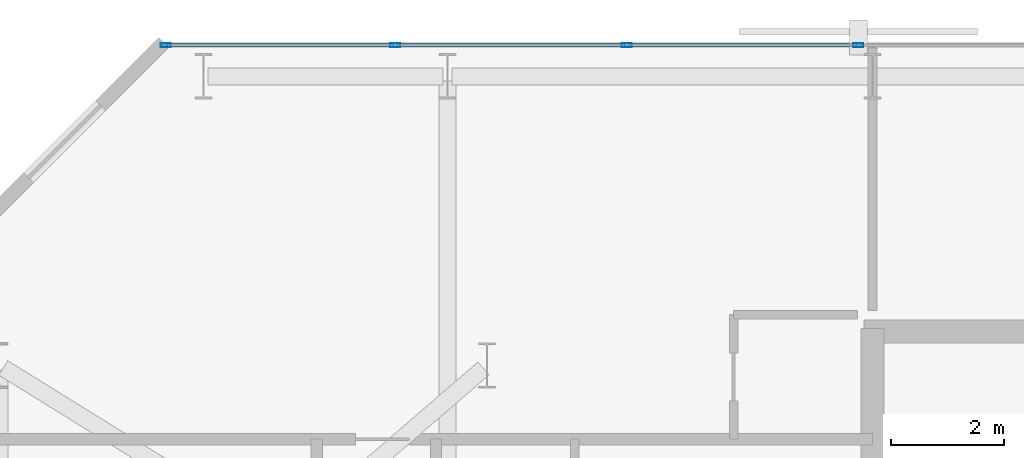
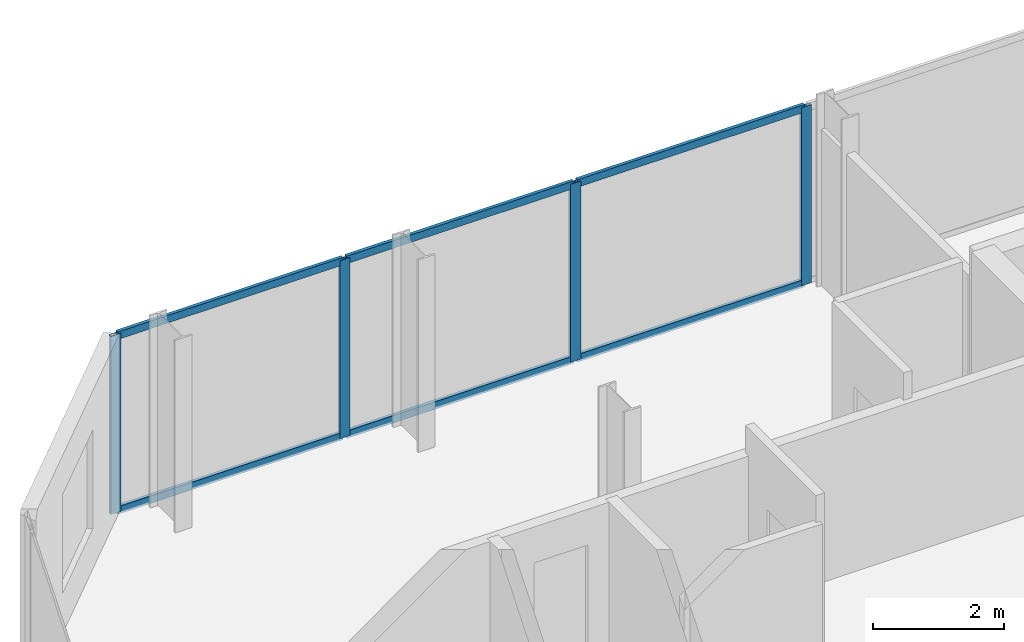
# One storey, part 22 of 33: 10 members, 1 element without a shape of its own.
"""IFC4 building model written with IfcOpenShell, lengths in metres."""

from ifc_helpers import new_model, si_unit, direction, frame, origin, origin_2d, place, context, subcontext, project, spatial, hollow_rectangle, extrude, material, layer, layer_set, material_profile, profile_set, type_object, element, aggregate, save


model = new_model("IFC4")

# Units and contexts
model_context = context("Model", 3, precision=1e-05, world=origin(), true_north=direction((0.0, 1.0)))
body_context = subcontext(model_context, "Body", "Model", "MODEL_VIEW")
ifc_project = project(units=[si_unit("LENGTHUNIT", "METRE"), si_unit("AREAUNIT", "SQUARE_METRE"), si_unit("VOLUMEUNIT", "CUBIC_METRE"), si_unit("PLANEANGLEUNIT", "RADIAN"), si_unit("MASSUNIT", "GRAM", prefix="KILO")], contexts=[model_context])

# Site, building, storey
site_placement = place(None, origin())
site = spatial("IfcSite", under=ifc_project, at=site_placement, CompositionType="ELEMENT")
building_placement = place(site_placement, origin())
building = spatial("IfcBuilding", under=site, at=building_placement, Name="Catumbela Crestline Tower", CompositionType="ELEMENT")
storey_placement = place(building_placement, frame((0.0, 0.0, 54.6)))
storey = spatial("IfcBuildingStorey", under=building, at=storey_placement, Name="L13", CompositionType="ELEMENT", Elevation=54.6)

# Curtain wall, members
ifc_material = material(Name="Aluminium alloy AW-6060-T66", Category="aluminium")
ifc_layer = layer(ifc_material, 0.18, Name="Aluminium alloy AW-6060-T66")
ifc_layer_set = layer_set([ifc_layer], Name="Aluminium alloy AW-6060-T66")
curtain_wall_type = type_object("IfcCurtainWallType", Name="CWU-Z1", PredefinedType="USERDEFINED", material=ifc_layer_set)
curtain_wall_placement = place(storey_placement, origin())
curtain_wall = element("IfcCurtainWall", 1, at=curtain_wall_placement, inside=storey, type_object=curtain_wall_type, Name="L13 Unitised Curtain Wall CW-L13-E7S1", ObjectType="UNITISED", PredefinedType="USERDEFINED")
ifc_material_profile_1 = material_profile(ifc_material, hollow_rectangle(XDim=0.065, YDim=0.18, WallThickness=0.004, at=origin_2d()), Name="ALU 180x65x4")
ifc_profile_set_1 = profile_set([ifc_material_profile_1], Name="Aluminium alloy AW-6060-T66")
member_type_1 = type_object("IfcMemberType", Name="MUL-180X65", PredefinedType="MULLION", material=ifc_profile_set_1)
member_1_placement = place(storey_placement, frame((15.75, 47.95, 0.0), z_axis=(0.0, 0.0, 1.0), x_axis=(0.0, -1.0, 0.0)))
member_1 = element("IfcMember", 2, at=member_1_placement, type_object=member_type_1, Name="CWU-Z1 mullion 10", PredefinedType="MULLION", context=body_context, shape_type="SweptSolid", body=[
    extrude(hollow_rectangle(XDim=0.065, YDim=0.18, WallThickness=0.004, at=origin_2d()), origin(), (0.0, 0.0, 1.0), 3.33),
])
member_2_placement = place(storey_placement, frame((11.6667, 47.95, 0.0), z_axis=(0.0, 0.0, 1.0), x_axis=(0.0, -1.0, 0.0)))
member_2 = element("IfcMember", 3, at=member_2_placement, type_object=member_type_1, Name="CWU-Z1 mullion 11", PredefinedType="MULLION", context=body_context, shape_type="SweptSolid", body=[
    extrude(hollow_rectangle(XDim=0.065, YDim=0.18, WallThickness=0.004, at=origin_2d()), origin(), (0.0, 0.0, 1.0), 3.33),
])
member_3_placement = place(storey_placement, frame((7.5833, 47.95, 0.0), z_axis=(0.0, 0.0, 1.0), x_axis=(0.0, -1.0, 0.0)))
member_3 = element("IfcMember", 4, at=member_3_placement, type_object=member_type_1, Name="CWU-Z1 mullion 12", PredefinedType="MULLION", context=body_context, shape_type="SweptSolid", body=[
    extrude(hollow_rectangle(XDim=0.065, YDim=0.18, WallThickness=0.004, at=origin_2d()), origin(), (0.0, 0.0, 1.0), 3.33),
])
member_4_placement = place(storey_placement, frame((3.5325, 47.95, 0.0), z_axis=(0.0, 0.0, 1.0), x_axis=(0.0, -1.0, 0.0)))
member_4 = element("IfcMember", 5, at=member_4_placement, type_object=member_type_1, Name="CWU-Z1 mullion 13", PredefinedType="MULLION", context=body_context, shape_type="SweptSolid", body=[
    extrude(hollow_rectangle(XDim=0.065, YDim=0.18, WallThickness=0.004, at=origin_2d()), origin(), (0.0, 0.0, 1.0), 3.33),
])
ifc_material_profile_2 = material_profile(ifc_material, hollow_rectangle(XDim=0.06, YDim=0.14, WallThickness=0.004, at=origin_2d()), Name="ALU 140x60x4")
ifc_profile_set_2 = profile_set([ifc_material_profile_2], Name="Aluminium alloy AW-6060-T66")
member_type_2 = type_object("IfcMemberType", Name="TRN-140X60", PredefinedType="USERDEFINED", material=ifc_profile_set_2)
member_5_placement = place(storey_placement, frame((15.7175, 47.95, 0.03), z_axis=(-1.0, 0.0, 0.0), x_axis=(0.0, -1.0, 0.0)))
member_5 = element("IfcMember", 6, at=member_5_placement, type_object=member_type_2, Name="CWU-Z1 transom 10.1", ObjectType="TRANSOM", PredefinedType="USERDEFINED", context=body_context, shape_type="SweptSolid", body=[
    extrude(hollow_rectangle(XDim=0.06, YDim=0.14, WallThickness=0.004, at=origin_2d()), origin(), (0.0, 0.0, 1.0), 4.0183),
])
member_6_placement = place(storey_placement, frame((15.7175, 47.95, 3.3), z_axis=(-1.0, 0.0, 0.0), x_axis=(0.0, -1.0, 0.0)))
member_6 = element("IfcMember", 7, at=member_6_placement, type_object=member_type_2, Name="CWU-Z1 transom 10.2", ObjectType="TRANSOM", PredefinedType="USERDEFINED", context=body_context, shape_type="SweptSolid", body=[
    extrude(hollow_rectangle(XDim=0.06, YDim=0.14, WallThickness=0.004, at=origin_2d()), origin(), (0.0, 0.0, 1.0), 4.0183),
])
member_7_placement = place(storey_placement, frame((11.6342, 47.95, 0.03), z_axis=(-1.0, 0.0, 0.0), x_axis=(0.0, -1.0, 0.0)))
member_7 = element("IfcMember", 8, at=member_7_placement, type_object=member_type_2, Name="CWU-Z1 transom 11.1", ObjectType="TRANSOM", PredefinedType="USERDEFINED", context=body_context, shape_type="SweptSolid", body=[
    extrude(hollow_rectangle(XDim=0.06, YDim=0.14, WallThickness=0.004, at=origin_2d()), origin(), (0.0, 0.0, 1.0), 4.0184),
])
member_8_placement = place(storey_placement, frame((11.6342, 47.95, 3.3), z_axis=(-1.0, 0.0, 0.0), x_axis=(0.0, -1.0, 0.0)))
member_8 = element("IfcMember", 9, at=member_8_placement, type_object=member_type_2, Name="CWU-Z1 transom 11.2", ObjectType="TRANSOM", PredefinedType="USERDEFINED", context=body_context, shape_type="SweptSolid", body=[
    extrude(hollow_rectangle(XDim=0.06, YDim=0.14, WallThickness=0.004, at=origin_2d()), origin(), (0.0, 0.0, 1.0), 4.0184),
])
member_9_placement = place(storey_placement, frame((7.5508, 47.95, 0.03), z_axis=(-1.0, 0.0, 0.0), x_axis=(0.0, -1.0, 0.0)))
member_9 = element("IfcMember", 10, at=member_9_placement, type_object=member_type_2, Name="CWU-Z1 transom 12.1", ObjectType="TRANSOM", PredefinedType="USERDEFINED", context=body_context, shape_type="SweptSolid", body=[
    extrude(hollow_rectangle(XDim=0.06, YDim=0.14, WallThickness=0.004, at=origin_2d()), origin(), (0.0, 0.0, 1.0), 3.9858),
])
member_10_placement = place(storey_placement, frame((7.5508, 47.95, 3.3), z_axis=(-1.0, 0.0, 0.0), x_axis=(0.0, -1.0, 0.0)))
member_10 = element("IfcMember", 11, at=member_10_placement, type_object=member_type_2, Name="CWU-Z1 transom 12.2", ObjectType="TRANSOM", PredefinedType="USERDEFINED", context=body_context, shape_type="SweptSolid", body=[
    extrude(hollow_rectangle(XDim=0.06, YDim=0.14, WallThickness=0.004, at=origin_2d()), origin(), (0.0, 0.0, 1.0), 3.9858),
])
aggregate(curtain_wall, [member_1, member_2, member_3, member_4, member_5, member_6, member_7, member_8, member_9, member_10])

save(model, "model.ifc")
